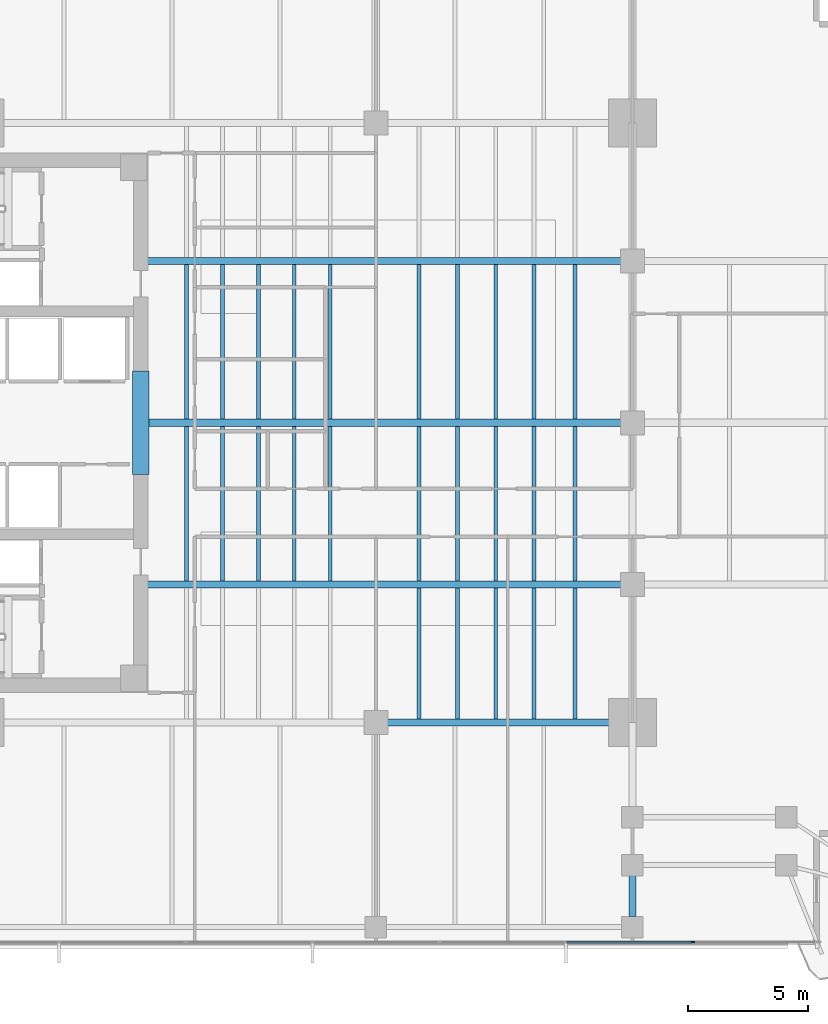
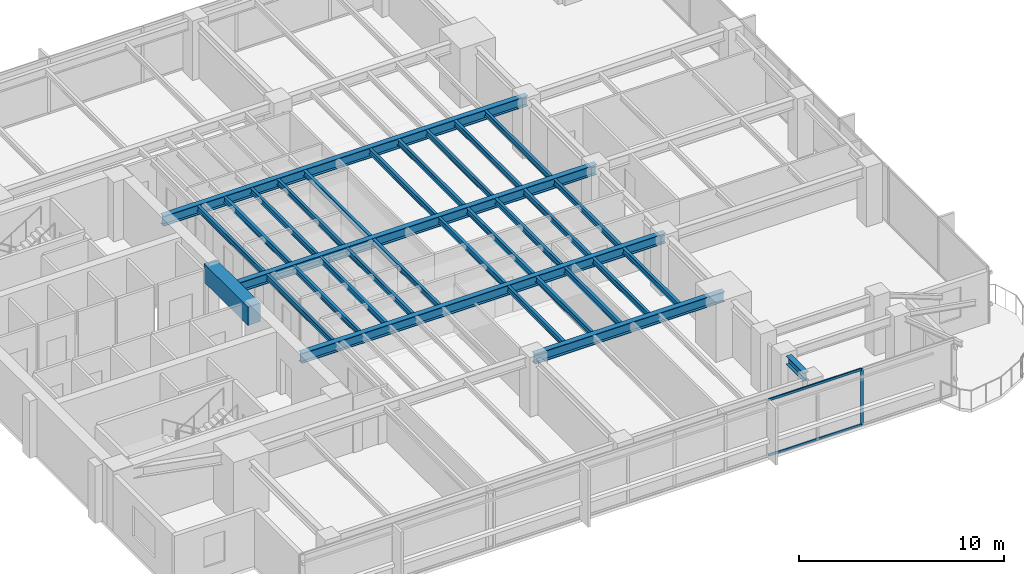
# One storey, part 3 of 15: 31 beams, 3 members, 1 element without a shape of its own.
"""IFC4 building model written with IfcOpenShell, lengths in metres."""

from ifc_helpers import new_model, si_unit, direction, frame, origin, origin_2d, place, context, subcontext, project, spatial, rectangle, i_section, extrude, material, layer, layer_set, material_profile, profile_set, type_object, element, aggregate, save


model = new_model("IFC4")

# Units and contexts
model_context = context("Model", 3, precision=1e-05, world=origin(), true_north=direction((0.0, 1.0)))
body_context = subcontext(model_context, "Body", "Model", "MODEL_VIEW")
ifc_project = project(units=[si_unit("LENGTHUNIT", "METRE"), si_unit("AREAUNIT", "SQUARE_METRE"), si_unit("VOLUMEUNIT", "CUBIC_METRE"), si_unit("PLANEANGLEUNIT", "RADIAN"), si_unit("MASSUNIT", "GRAM", prefix="KILO")], contexts=[model_context])

# Site, building, storey
site_placement = place(None, origin())
site = spatial("IfcSite", under=ifc_project, at=site_placement, CompositionType="ELEMENT")
building_placement = place(site_placement, origin())
building = spatial("IfcBuilding", under=site, at=building_placement, Name="Kinhvarn Gate Tower", CompositionType="ELEMENT")
storey_placement = place(building_placement, frame((0.0, 0.0, 105.800048828125)))
storey = spatial("IfcBuildingStorey", under=building, at=storey_placement, Name="L27", CompositionType="ELEMENT", Elevation=105.800048828125)

# Beam
ifc_material_1 = material(Name="Concrete C70/85", Category="concrete")
ifc_material_profile_1 = material_profile(ifc_material_1, rectangle(XDim=0.699951171875, YDim=1.10009765625, at=origin_2d()), Name="RC 700x1100")
ifc_profile_set_1 = profile_set([ifc_material_profile_1], Name="Concrete C70/85")
beam_type_1 = type_object("IfcBeamType", Name="BM-CB-1100", PredefinedType="LINTEL", material=ifc_profile_set_1)
beam_1_placement = place(storey_placement, frame((17.699951171875, 23.10009765625, 2.820068359375), z_axis=(0.0, 1.0, 0.0), x_axis=(-1.0, 0.0, 0.0)))
element("IfcBeam", 1, at=beam_1_placement, inside=storey, type_object=beam_type_1, Name="Core East Portal Coupling Beam L27", PredefinedType="LINTEL", context=body_context, shape_type="SweptSolid", body=[
    extrude(rectangle(XDim=0.699951171875, YDim=1.10009765625, at=origin_2d()), origin(), (0.0, 0.0, 1.0), 4.2998046875),
])

# Curtain wall, members
ifc_material_2 = material(Name="Anodised aluminium AW-6063", Category="aluminium")
ifc_layer = layer(ifc_material_2, 0.179931640625)
ifc_layer_set = layer_set([ifc_layer], Name="Anodised aluminium AW-6063")
curtain_wall_type = type_object("IfcCurtainWallType", Name="CW-SYS-3", PredefinedType="NOTDEFINED", material=ifc_layer_set)
curtain_wall_placement = place(storey_placement, origin())
curtain_wall = element("IfcCurtainWall", 2, at=curtain_wall_placement, inside=storey, type_object=curtain_wall_type, Name="Curtain Wall CW3 (L27)", PredefinedType="NOTDEFINED")
ifc_material_profile_2 = material_profile(ifc_material_2, rectangle(XDim=0.06494140625, YDim=0.159912109375, at=origin_2d()), Name="ALU 65x160")
ifc_profile_set_2 = profile_set([ifc_material_profile_2], Name="Anodised aluminium AW-6063")
member_type_1 = type_object("IfcMemberType", Name="CW-MUL-160", PredefinedType="MULLION", material=ifc_profile_set_2)
member_1_placement = place(storey_placement, frame((40.71435546875, 3.590087890625, 0.0), z_axis=(0.0, 0.0, 1.0), x_axis=(0.0, 1.0, 0.0)))
member_1 = element("IfcMember", 3, at=member_1_placement, type_object=member_type_1, Name="CW3 mullion 7", PredefinedType="MULLION", context=body_context, shape_type="SweptSolid", body=[
    extrude(rectangle(XDim=0.06494140625, YDim=0.159912109375, at=origin_2d()), origin(), (0.0, 0.0, 1.0), 3.369873046875),
])
ifc_material_profile_3 = material_profile(ifc_material_2, rectangle(XDim=0.070068359375, YDim=0.139892578125, at=origin_2d()), Name="ALU 70x140")
ifc_profile_set_3 = profile_set([ifc_material_profile_3], Name="Anodised aluminium AW-6063")
member_type_2 = type_object("IfcMemberType", Name="CW-TRN-140", PredefinedType="USERDEFINED", material=ifc_profile_set_3)
member_2_placement = place(storey_placement, frame((35.461181640625, 3.590087890625, 0.034912109375), z_axis=(1.0, 0.0, 0.0), x_axis=(0.0, 1.0, 0.0)))
member_2 = element("IfcMember", 4, at=member_2_placement, type_object=member_type_2, Name="CW3 transom 6.1", ObjectType="TRANSOM", PredefinedType="USERDEFINED", context=body_context, shape_type="SweptSolid", body=[
    extrude(rectangle(XDim=0.070068359375, YDim=0.139892578125, at=origin_2d()), origin(), (0.0, 0.0, 1.0), 5.220703125),
])
member_3_placement = place(storey_placement, frame((35.461181640625, 3.590087890625, 3.3349609375), z_axis=(1.0, 0.0, 0.0), x_axis=(0.0, 1.0, 0.0)))
member_3 = element("IfcMember", 5, at=member_3_placement, type_object=member_type_2, Name="CW3 transom 6.2", ObjectType="TRANSOM", PredefinedType="USERDEFINED", context=body_context, shape_type="SweptSolid", body=[
    extrude(rectangle(XDim=0.070068359375, YDim=0.139892578125, at=origin_2d()), origin(), (0.0, 0.0, 1.0), 5.220703125),
])
aggregate(curtain_wall, [member_1, member_2, member_3])

# Beams
ifc_material_3 = material(Name="Steel S355", Category="steel")
ifc_material_profile_4 = material_profile(ifc_material_3, i_section(OverallWidth=0.300048828125, OverallDepth=0.5, WebThickness=0.014404296875, FlangeThickness=0.028076171875, at=origin_2d()), Name="HEB 500")
ifc_profile_set_4 = profile_set([ifc_material_profile_4], Name="Steel S355")
beam_type_2 = type_object("IfcBeamType", Name="STL-HEB500", PredefinedType="BEAM", material=ifc_profile_set_4)
beam_2_placement = place(storey_placement, frame((38.199951171875, 4.655029296875, 3.119873046875), z_axis=(0.0, 1.0, 0.0), x_axis=(-1.0, 0.0, 0.0)))
element("IfcBeam", 6, at=beam_2_placement, inside=storey, type_object=beam_type_2, Name="Floor Beam PG-14 (L27 MCE-S-A0)", PredefinedType="BEAM", context=body_context, shape_type="SweptSolid", body=[
    extrude(i_section(OverallWidth=0.300048828125, OverallDepth=0.5, WebThickness=0.014404296875, FlangeThickness=0.028076171875, at=origin_2d()), origin(), (0.0, 0.0, 1.0), 1.7099609375),
])
ifc_material_profile_5 = material_profile(ifc_material_3, i_section(OverallWidth=0.300048828125, OverallDepth=0.60009765625, WebThickness=0.015380859375, FlangeThickness=0.030029296875, at=origin_2d()), Name="HEB 600")
ifc_profile_set_5 = profile_set([ifc_material_profile_5], Name="Steel S355")
beam_type_3 = type_object("IfcBeamType", Name="STL-HEB600", PredefinedType="BEAM", material=ifc_profile_set_5)
beam_3_placement = place(storey_placement, frame((27.5, 12.75, 3.070068359375), z_axis=(1.0, 0.0, 0.0), x_axis=(0.0, 1.0, 0.0)))
element("IfcBeam", 7, at=beam_3_placement, inside=storey, type_object=beam_type_3, Name="Floor Beam PG-16 (L27 MG-S2)", PredefinedType="BEAM", context=body_context, shape_type="SweptSolid", body=[
    extrude(i_section(OverallWidth=0.300048828125, OverallDepth=0.60009765625, WebThickness=0.015380859375, FlangeThickness=0.030029296875, at=origin_2d()), origin(), (0.0, 0.0, 1.0), 10.699951171875),
])
beam_4_placement = place(storey_placement, frame((17.64990234375, 18.5, 3.070068359375), z_axis=(1.0, 0.0, 0.0), x_axis=(0.0, 1.0, 0.0)))
element("IfcBeam", 8, at=beam_4_placement, inside=storey, type_object=beam_type_3, Name="Floor Beam PG-16 (L27 EW1-Y18)", PredefinedType="BEAM", context=body_context, shape_type="SweptSolid", body=[
    extrude(i_section(OverallWidth=0.300048828125, OverallDepth=0.60009765625, WebThickness=0.015380859375, FlangeThickness=0.030029296875, at=origin_2d()), origin(), (0.0, 0.0, 1.0), 20.550048828125),
])
beam_5_placement = place(storey_placement, frame((18.050048828125, 25.25, 3.070068359375), z_axis=(1.0, 0.0, 0.0), x_axis=(0.0, 1.0, 0.0)))
element("IfcBeam", 9, at=beam_5_placement, inside=storey, type_object=beam_type_3, Name="Floor Beam PG-16 (L27 EW1-Y25)", PredefinedType="BEAM", context=body_context, shape_type="SweptSolid", body=[
    extrude(i_section(OverallWidth=0.300048828125, OverallDepth=0.60009765625, WebThickness=0.015380859375, FlangeThickness=0.030029296875, at=origin_2d()), origin(), (0.0, 0.0, 1.0), 20.14990234375),
])
beam_6_placement = place(storey_placement, frame((17.64990234375, 32.0, 3.070068359375), z_axis=(1.0, 0.0, 0.0), x_axis=(0.0, 1.0, 0.0)))
element("IfcBeam", 10, at=beam_6_placement, inside=storey, type_object=beam_type_3, Name="Floor Beam PG-16 (L27 EW1-Y32)", PredefinedType="BEAM", context=body_context, shape_type="SweptSolid", body=[
    extrude(i_section(OverallWidth=0.300048828125, OverallDepth=0.60009765625, WebThickness=0.015380859375, FlangeThickness=0.030029296875, at=origin_2d()), origin(), (0.0, 0.0, 1.0), 20.550048828125),
])
ifc_material_profile_6 = material_profile(ifc_material_3, i_section(OverallWidth=0.159912109375, OverallDepth=0.330078125, WebThickness=0.007568359375, FlangeThickness=0.011474609375, at=origin_2d()), Name="IPE 330")
ifc_profile_set_6 = profile_set([ifc_material_profile_6], Name="Steel S355")
beam_type_4 = type_object("IfcBeamType", Name="STL-IPE330", PredefinedType="JOIST", material=ifc_profile_set_6)
for number, where, z_axis, x_axis, name in (
    (11, (19.60009765625, 18.64990234375, 3.204833984375), (0.0, 1.0, 0.0), (-1.0, 0.0, 0.0), "Floor Joist SB-03 (L27 JC-X196-1)"),
    (12, (19.60009765625, 25.39990234375, 3.204833984375), (0.0, 1.0, 0.0), (-1.0, 0.0, 0.0), "Floor Joist SB-03 (L27 JC-X196-2)"),
    (13, (21.10009765625, 18.64990234375, 3.204833984375), (0.0, 1.0, 0.0), (-1.0, 0.0, 0.0), "Floor Joist SB-03 (L27 JC-X211-1)"),
    (14, (21.10009765625, 25.39990234375, 3.204833984375), (0.0, 1.0, 0.0), (-1.0, 0.0, 0.0), "Floor Joist SB-03 (L27 JC-X211-2)"),
    (15, (22.60009765625, 18.64990234375, 3.204833984375), (0.0, 1.0, 0.0), (-1.0, 0.0, 0.0), "Floor Joist SB-03 (L27 JC-X226-1)"),
    (16, (22.60009765625, 25.39990234375, 3.204833984375), (0.0, 1.0, 0.0), (-1.0, 0.0, 0.0), "Floor Joist SB-03 (L27 JC-X226-2)"),
    (17, (24.10009765625, 18.64990234375, 3.204833984375), (0.0, 1.0, 0.0), (-1.0, 0.0, 0.0), "Floor Joist SB-03 (L27 JC-X241-1)"),
    (18, (24.10009765625, 25.39990234375, 3.204833984375), (0.0, 1.0, 0.0), (-1.0, 0.0, 0.0), "Floor Joist SB-03 (L27 JC-X241-2)"),
    (19, (25.60009765625, 18.64990234375, 3.204833984375), (0.0, 1.0, 0.0), (-1.0, 0.0, 0.0), "Floor Joist SB-03 (L27 JC-X256-1)"),
    (20, (25.60009765625, 25.39990234375, 3.204833984375), (0.0, 1.0, 0.0), (-1.0, 0.0, 0.0), "Floor Joist SB-03 (L27 JC-X256-2)"),
):
    element("IfcBeam", number, at=place(storey_placement, frame(where, z_axis=z_axis, x_axis=x_axis)), inside=storey, type_object=beam_type_4, Name=name, PredefinedType="JOIST", context=body_context, shape_type="SweptSolid", body=[
        extrude(i_section(OverallWidth=0.159912109375, OverallDepth=0.330078125, WebThickness=0.007568359375, FlangeThickness=0.011474609375, at=origin_2d()), origin(), (0.0, 0.0, 1.0), 6.4501953125),
    ])
beam_7_placement = place(storey_placement, frame((29.300048828125, 12.89990234375, 3.204833984375), z_axis=(0.0, 1.0, 0.0), x_axis=(-1.0, 0.0, 0.0)))
element("IfcBeam", 21, at=beam_7_placement, inside=storey, type_object=beam_type_4, Name="Floor Joist SB-03 (L27 JC-X293-0)", PredefinedType="JOIST", context=body_context, shape_type="SweptSolid", body=[
    extrude(i_section(OverallWidth=0.159912109375, OverallDepth=0.330078125, WebThickness=0.007568359375, FlangeThickness=0.011474609375, at=origin_2d()), origin(), (0.0, 0.0, 1.0), 5.4501953125),
])
for number, where, z_axis, x_axis, name in (
    (22, (29.300048828125, 18.64990234375, 3.204833984375), (0.0, 1.0, 0.0), (-1.0, 0.0, 0.0), "Floor Joist SB-03 (L27 JC-X293-1)"),
    (23, (29.300048828125, 25.39990234375, 3.204833984375), (0.0, 1.0, 0.0), (-1.0, 0.0, 0.0), "Floor Joist SB-03 (L27 JC-X293-2)"),
):
    element("IfcBeam", number, at=place(storey_placement, frame(where, z_axis=z_axis, x_axis=x_axis)), inside=storey, type_object=beam_type_4, Name=name, PredefinedType="JOIST", context=body_context, shape_type="SweptSolid", body=[
        extrude(i_section(OverallWidth=0.159912109375, OverallDepth=0.330078125, WebThickness=0.007568359375, FlangeThickness=0.011474609375, at=origin_2d()), origin(), (0.0, 0.0, 1.0), 6.4501953125),
    ])
beam_8_placement = place(storey_placement, frame((30.89990234375, 12.89990234375, 3.204833984375), z_axis=(0.0, 1.0, 0.0), x_axis=(-1.0, 0.0, 0.0)))
element("IfcBeam", 24, at=beam_8_placement, inside=storey, type_object=beam_type_4, Name="Floor Joist SB-03 (L27 JC-X309-0)", PredefinedType="JOIST", context=body_context, shape_type="SweptSolid", body=[
    extrude(i_section(OverallWidth=0.159912109375, OverallDepth=0.330078125, WebThickness=0.007568359375, FlangeThickness=0.011474609375, at=origin_2d()), origin(), (0.0, 0.0, 1.0), 5.4501953125),
])
for number, where, z_axis, x_axis, name in (
    (25, (30.89990234375, 18.64990234375, 3.204833984375), (0.0, 1.0, 0.0), (-1.0, 0.0, 0.0), "Floor Joist SB-03 (L27 JC-X309-1)"),
    (26, (30.89990234375, 25.39990234375, 3.204833984375), (0.0, 1.0, 0.0), (-1.0, 0.0, 0.0), "Floor Joist SB-03 (L27 JC-X309-2)"),
):
    element("IfcBeam", number, at=place(storey_placement, frame(where, z_axis=z_axis, x_axis=x_axis)), inside=storey, type_object=beam_type_4, Name=name, PredefinedType="JOIST", context=body_context, shape_type="SweptSolid", body=[
        extrude(i_section(OverallWidth=0.159912109375, OverallDepth=0.330078125, WebThickness=0.007568359375, FlangeThickness=0.011474609375, at=origin_2d()), origin(), (0.0, 0.0, 1.0), 6.4501953125),
    ])
beam_9_placement = place(storey_placement, frame((32.5, 12.89990234375, 3.204833984375), z_axis=(0.0, 1.0, 0.0), x_axis=(-1.0, 0.0, 0.0)))
element("IfcBeam", 27, at=beam_9_placement, inside=storey, type_object=beam_type_4, Name="Floor Joist SB-03 (L27 JC-X325-0)", PredefinedType="JOIST", context=body_context, shape_type="SweptSolid", body=[
    extrude(i_section(OverallWidth=0.159912109375, OverallDepth=0.330078125, WebThickness=0.007568359375, FlangeThickness=0.011474609375, at=origin_2d()), origin(), (0.0, 0.0, 1.0), 5.4501953125),
])
for number, where, z_axis, x_axis, name in (
    (28, (32.5, 18.64990234375, 3.204833984375), (0.0, 1.0, 0.0), (-1.0, 0.0, 0.0), "Floor Joist SB-03 (L27 JC-X325-1)"),
    (29, (32.5, 25.39990234375, 3.204833984375), (0.0, 1.0, 0.0), (-1.0, 0.0, 0.0), "Floor Joist SB-03 (L27 JC-X325-2)"),
):
    element("IfcBeam", number, at=place(storey_placement, frame(where, z_axis=z_axis, x_axis=x_axis)), inside=storey, type_object=beam_type_4, Name=name, PredefinedType="JOIST", context=body_context, shape_type="SweptSolid", body=[
        extrude(i_section(OverallWidth=0.159912109375, OverallDepth=0.330078125, WebThickness=0.007568359375, FlangeThickness=0.011474609375, at=origin_2d()), origin(), (0.0, 0.0, 1.0), 6.4501953125),
    ])
beam_10_placement = place(storey_placement, frame((34.10009765625, 12.89990234375, 3.204833984375), z_axis=(0.0, 1.0, 0.0), x_axis=(-1.0, 0.0, 0.0)))
element("IfcBeam", 30, at=beam_10_placement, inside=storey, type_object=beam_type_4, Name="Floor Joist SB-03 (L27 JC-X341-0)", PredefinedType="JOIST", context=body_context, shape_type="SweptSolid", body=[
    extrude(i_section(OverallWidth=0.159912109375, OverallDepth=0.330078125, WebThickness=0.007568359375, FlangeThickness=0.011474609375, at=origin_2d()), origin(), (0.0, 0.0, 1.0), 5.4501953125),
])
for number, where, z_axis, x_axis, name in (
    (31, (34.10009765625, 18.64990234375, 3.204833984375), (0.0, 1.0, 0.0), (-1.0, 0.0, 0.0), "Floor Joist SB-03 (L27 JC-X341-1)"),
    (32, (34.10009765625, 25.39990234375, 3.204833984375), (0.0, 1.0, 0.0), (-1.0, 0.0, 0.0), "Floor Joist SB-03 (L27 JC-X341-2)"),
):
    element("IfcBeam", number, at=place(storey_placement, frame(where, z_axis=z_axis, x_axis=x_axis)), inside=storey, type_object=beam_type_4, Name=name, PredefinedType="JOIST", context=body_context, shape_type="SweptSolid", body=[
        extrude(i_section(OverallWidth=0.159912109375, OverallDepth=0.330078125, WebThickness=0.007568359375, FlangeThickness=0.011474609375, at=origin_2d()), origin(), (0.0, 0.0, 1.0), 6.4501953125),
    ])
beam_11_placement = place(storey_placement, frame((35.800048828125, 12.89990234375, 3.204833984375), z_axis=(0.0, 1.0, 0.0), x_axis=(-1.0, 0.0, 0.0)))
element("IfcBeam", 33, at=beam_11_placement, inside=storey, type_object=beam_type_4, Name="Floor Joist SB-03 (L27 JC-X358-0)", PredefinedType="JOIST", context=body_context, shape_type="SweptSolid", body=[
    extrude(i_section(OverallWidth=0.159912109375, OverallDepth=0.330078125, WebThickness=0.007568359375, FlangeThickness=0.011474609375, at=origin_2d()), origin(), (0.0, 0.0, 1.0), 5.4501953125),
])
for number, where, z_axis, x_axis, name in (
    (34, (35.800048828125, 18.64990234375, 3.204833984375), (0.0, 1.0, 0.0), (-1.0, 0.0, 0.0), "Floor Joist SB-03 (L27 JC-X358-1)"),
    (35, (35.800048828125, 25.39990234375, 3.204833984375), (0.0, 1.0, 0.0), (-1.0, 0.0, 0.0), "Floor Joist SB-03 (L27 JC-X358-2)"),
):
    element("IfcBeam", number, at=place(storey_placement, frame(where, z_axis=z_axis, x_axis=x_axis)), inside=storey, type_object=beam_type_4, Name=name, PredefinedType="JOIST", context=body_context, shape_type="SweptSolid", body=[
        extrude(i_section(OverallWidth=0.159912109375, OverallDepth=0.330078125, WebThickness=0.007568359375, FlangeThickness=0.011474609375, at=origin_2d()), origin(), (0.0, 0.0, 1.0), 6.4501953125),
    ])

save(model, "model.ifc")
